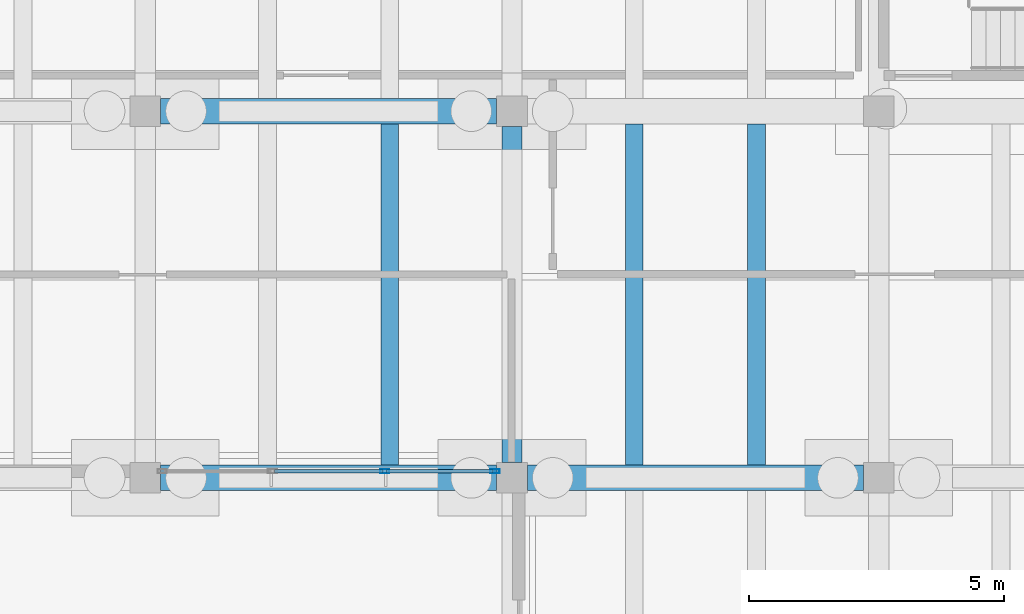
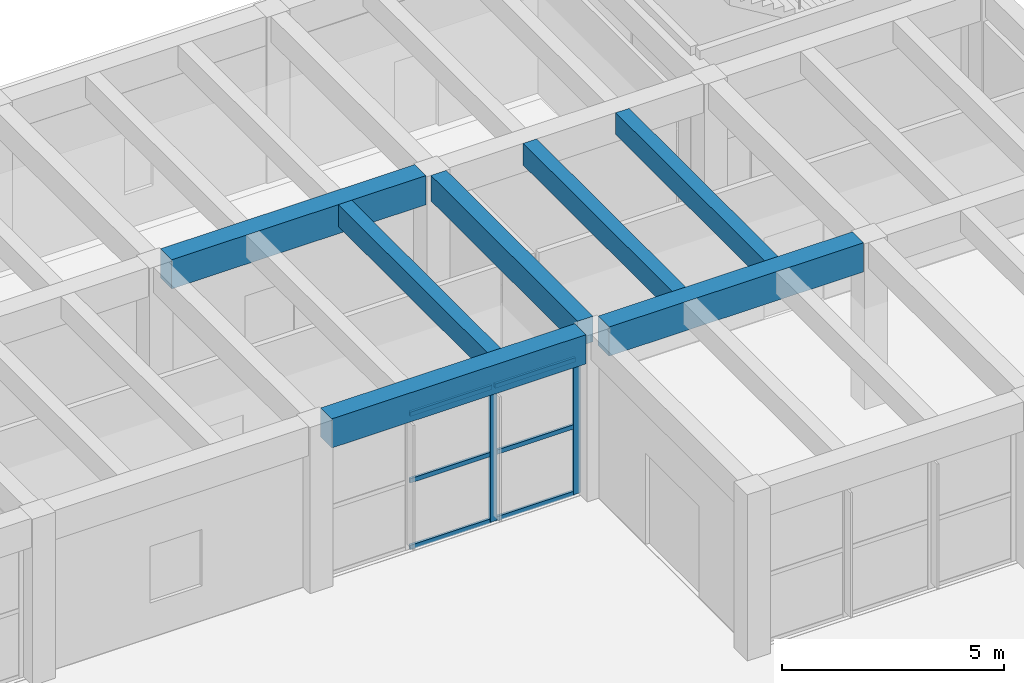
# One storey, part 103 of 155: 8 members, 7 beams, 1 element without a shape of its own.
"""IFC4 building model written with IfcOpenShell, lengths in metres."""

from ifc_helpers import new_model, si_unit, direction, frame, origin, origin_2d, place, context, subcontext, project, spatial, rectangle, hollow_rectangle, extrude, material, material_profile, profile_set, type_object, element, aggregate, save


model = new_model("IFC4")

# Units and contexts
model_context = context("Model", 3, precision=1e-05, world=origin(), true_north=direction((0.0, 1.0)))
body_context = subcontext(model_context, "Body", "Model", "MODEL_VIEW")
ifc_project = project(units=[si_unit("LENGTHUNIT", "METRE"), si_unit("AREAUNIT", "SQUARE_METRE"), si_unit("VOLUMEUNIT", "CUBIC_METRE"), si_unit("PLANEANGLEUNIT", "RADIAN"), si_unit("MASSUNIT", "GRAM", prefix="KILO")], contexts=[model_context])

# Site, building, storey
site_placement = place(None, origin())
site = spatial("IfcSite", under=ifc_project, at=site_placement, CompositionType="ELEMENT")
building_placement = place(site_placement, origin())
building = spatial("IfcBuilding", under=site, at=building_placement, Name="Bramvelor Terrace Health Centre", CompositionType="ELEMENT")
storey_placement = place(building_placement, origin())
storey = spatial("IfcBuildingStorey", under=building, at=storey_placement, Name="L01", CompositionType="ELEMENT", Elevation=0.0)

# Beams
ifc_material_1 = material(Name="Concrete C40/50", Category="concrete")
ifc_material_profile_1 = material_profile(ifc_material_1, rectangle(XDim=0.39990234375, YDim=0.699951171875, at=origin_2d()), Name="RC 400x700")
ifc_profile_set_1 = profile_set([ifc_material_profile_1], Name="Concrete C40/50")
beam_type_1 = type_object("IfcBeamType", Name="BM-RC-G700", PredefinedType="BEAM", material=ifc_profile_set_1)
beam_1_placement = place(storey_placement, frame((151.199951171875, 50.699951171875, 4.2099609375), z_axis=(0.0, 1.0, 0.0), x_axis=(-1.0, 0.0, 0.0)))
element("IfcBeam", 1, at=beam_1_placement, inside=storey, type_object=beam_type_1, Name="L01 Floor Girder", PredefinedType="BEAM", context=body_context, shape_type="SweptSolid", body=[
    extrude(rectangle(XDim=0.39990234375, YDim=0.699951171875, at=origin_2d()), origin(), (0.0, 0.0, 1.0), 6.60009765625),
])
ifc_material_2 = material(Name="Concrete C40/50", Category="concrete")
ifc_material_profile_2 = material_profile(ifc_material_2, rectangle(XDim=0.5, YDim=0.800048828125, at=origin_2d()), Name="RC 500x800")
ifc_profile_set_2 = profile_set([ifc_material_profile_2], Name="Concrete C40/50")
beam_type_2 = type_object("IfcBeamType", Name="BM-RC-G800", PredefinedType="BEAM", material=ifc_profile_set_2)
for number, where, z_axis, x_axis, name in (
    (2, (144.300048828125, 50.39990234375, 4.159912109375), (1.0, 0.0, 0.0), (0.0, 1.0, 0.0), "L01 Floor Girder"),
    (3, (144.300048828125, 57.60009765625, 4.159912109375), (1.0, 0.0, 0.0), (0.0, 1.0, 0.0), "L01 Floor Girder"),
):
    element("IfcBeam", number, at=place(storey_placement, frame(where, z_axis=z_axis, x_axis=x_axis)), inside=storey, type_object=beam_type_2, Name=name, PredefinedType="BEAM", context=body_context, shape_type="SweptSolid", body=[
        extrude(rectangle(XDim=0.5, YDim=0.800048828125, at=origin_2d()), origin(), (0.0, 0.0, 1.0), 6.599853515625),
    ])
beam_2_placement = place(storey_placement, frame((151.5, 50.39990234375, 4.159912109375), z_axis=(1.0, 0.0, 0.0), x_axis=(0.0, 1.0, 0.0)))
element("IfcBeam", 4, at=beam_2_placement, inside=storey, type_object=beam_type_2, Name="L01 Floor Girder", PredefinedType="BEAM", context=body_context, shape_type="SweptSolid", body=[
    extrude(rectangle(XDim=0.5, YDim=0.800048828125, at=origin_2d()), origin(), (0.0, 0.0, 1.0), 6.60009765625),
])
ifc_material_3 = material(Name="Concrete C40/50", Category="concrete")
ifc_material_profile_3 = material_profile(ifc_material_3, rectangle(XDim=0.35009765625, YDim=0.60009765625, at=origin_2d()), Name="RC 350x600")
ifc_profile_set_3 = profile_set([ifc_material_profile_3], Name="Concrete C40/50")
beam_type_3 = type_object("IfcBeamType", Name="BM-RC-J600", PredefinedType="JOIST", material=ifc_profile_set_3)
for number, where, z_axis, x_axis, name in (
    (5, (148.800048828125, 50.64990234375, 4.260009765625), (0.0, 1.0, 0.0), (-1.0, 0.0, 0.0), "L01 Secondary Floor Joist"),
    (6, (153.60009765625, 50.64990234375, 4.260009765625), (0.0, 1.0, 0.0), (-1.0, 0.0, 0.0), "L01 Secondary Floor Joist"),
    (7, (156.0, 50.64990234375, 4.260009765625), (0.0, 1.0, 0.0), (-1.0, 0.0, 0.0), "L01 Secondary Floor Joist"),
):
    element("IfcBeam", number, at=place(storey_placement, frame(where, z_axis=z_axis, x_axis=x_axis)), inside=storey, type_object=beam_type_3, Name=name, PredefinedType="JOIST", context=body_context, shape_type="SweptSolid", body=[
        extrude(rectangle(XDim=0.35009765625, YDim=0.60009765625, at=origin_2d()), origin(), (0.0, 0.0, 1.0), 6.7001953125),
    ])

# Curtain wall, members
ifc_material_4 = material(Name="Anodized aluminium and double low-E glass", Category="aluminium")
curtain_wall_type = type_object("IfcCurtainWallType", Name="CW-SYS-02", PredefinedType="NOTDEFINED", material=ifc_material_4)
curtain_wall_placement = place(storey_placement, origin())
curtain_wall = element("IfcCurtainWall", 8, at=curtain_wall_placement, inside=storey, type_object=curtain_wall_type, Name="L01 Unitized Curtain Wall 42", PredefinedType="NOTDEFINED")
ifc_material_5 = material(Name="Anodized aluminium 6063-T6", Category="aluminium")
ifc_material_profile_4 = material_profile(ifc_material_5, hollow_rectangle(XDim=0.074951171875, YDim=0.179931640625, WallThickness=0.00341796875, at=origin_2d()), Name="ALU-MUL 75x180x3.5")
ifc_profile_set_4 = profile_set([ifc_material_profile_4], Name="Anodized aluminium 6063-T6")
member_type_1 = type_object("IfcMemberType", Name="CW-MUL-65x180", PredefinedType="MULLION", material=ifc_profile_set_4)
member_1_placement = place(storey_placement, frame((150.867431640625, 50.530029296875, 0.0), z_axis=(0.0, 0.0, 1.0), x_axis=(0.0, -1.0, 0.0)))
member_1 = element("IfcMember", 9, at=member_1_placement, type_object=member_type_1, Name="CW-02 mullion 1", PredefinedType="MULLION", context=body_context, shape_type="SweptSolid", body=[
    extrude(hollow_rectangle(XDim=0.074951171875, YDim=0.179931640625, WallThickness=0.00341796875, at=origin_2d()), origin(), (0.0, 0.0, 1.0), 3.719970703125),
])
member_2_placement = place(storey_placement, frame((148.70166015625, 50.530029296875, 0.0), z_axis=(0.0, 0.0, 1.0), x_axis=(0.0, -1.0, 0.0)))
member_2 = element("IfcMember", 10, at=member_2_placement, type_object=member_type_1, Name="CW-02 mullion 2", PredefinedType="MULLION", context=body_context, shape_type="SweptSolid", body=[
    extrude(hollow_rectangle(XDim=0.074951171875, YDim=0.179931640625, WallThickness=0.00341796875, at=origin_2d()), origin(), (0.0, 0.0, 1.0), 3.719970703125),
])
ifc_material_6 = material(Name="Anodized aluminium 6063-T6", Category="aluminium")
ifc_material_profile_5 = material_profile(ifc_material_6, hollow_rectangle(XDim=0.06494140625, YDim=0.1201171875, WallThickness=0.0029296875, at=origin_2d()), Name="ALU-TRN 65x120x3.0")
ifc_profile_set_5 = profile_set([ifc_material_profile_5], Name="Anodized aluminium 6063-T6")
member_type_2 = type_object("IfcMemberType", Name="CW-TRN-65x150", PredefinedType="USERDEFINED", material=ifc_profile_set_5)
member_3_placement = place(storey_placement, frame((150.830078125, 50.530029296875, 0.032470703125), z_axis=(-1.0, 0.0, 0.0), x_axis=(0.0, -1.0, 0.0)))
member_3 = element("IfcMember", 11, at=member_3_placement, type_object=member_type_2, Name="CW-02 transom 1.1", ObjectType="TRANSOM", PredefinedType="USERDEFINED", context=body_context, shape_type="SweptSolid", body=[
    extrude(hollow_rectangle(XDim=0.06494140625, YDim=0.1201171875, WallThickness=0.0029296875, at=origin_2d()), origin(), (0.0, 0.0, 1.0), 2.0908203125),
])
member_4_placement = place(storey_placement, frame((150.830078125, 50.530029296875, 1.860107421875), z_axis=(-1.0, 0.0, 0.0), x_axis=(0.0, -1.0, 0.0)))
member_4 = element("IfcMember", 12, at=member_4_placement, type_object=member_type_2, Name="CW-02 transom 1.2", ObjectType="TRANSOM", PredefinedType="USERDEFINED", context=body_context, shape_type="SweptSolid", body=[
    extrude(hollow_rectangle(XDim=0.06494140625, YDim=0.1201171875, WallThickness=0.0029296875, at=origin_2d()), origin(), (0.0, 0.0, 1.0), 2.0908203125),
])
member_5_placement = place(storey_placement, frame((150.830078125, 50.530029296875, 3.6875), z_axis=(-1.0, 0.0, 0.0), x_axis=(0.0, -1.0, 0.0)))
member_5 = element("IfcMember", 13, at=member_5_placement, type_object=member_type_2, Name="CW-02 transom 1.3", ObjectType="TRANSOM", PredefinedType="USERDEFINED", context=body_context, shape_type="SweptSolid", body=[
    extrude(hollow_rectangle(XDim=0.06494140625, YDim=0.1201171875, WallThickness=0.0029296875, at=origin_2d()), origin(), (0.0, 0.0, 1.0), 2.0908203125),
])
member_6_placement = place(storey_placement, frame((148.6640625, 50.530029296875, 0.032470703125), z_axis=(-1.0, 0.0, 0.0), x_axis=(0.0, -1.0, 0.0)))
member_6 = element("IfcMember", 14, at=member_6_placement, type_object=member_type_2, Name="CW-02 transom 2.1", ObjectType="TRANSOM", PredefinedType="USERDEFINED", context=body_context, shape_type="SweptSolid", body=[
    extrude(hollow_rectangle(XDim=0.06494140625, YDim=0.1201171875, WallThickness=0.0029296875, at=origin_2d()), origin(), (0.0, 0.0, 1.0), 2.128173828125),
])
member_7_placement = place(storey_placement, frame((148.6640625, 50.530029296875, 1.860107421875), z_axis=(-1.0, 0.0, 0.0), x_axis=(0.0, -1.0, 0.0)))
member_7 = element("IfcMember", 15, at=member_7_placement, type_object=member_type_2, Name="CW-02 transom 2.2", ObjectType="TRANSOM", PredefinedType="USERDEFINED", context=body_context, shape_type="SweptSolid", body=[
    extrude(hollow_rectangle(XDim=0.06494140625, YDim=0.1201171875, WallThickness=0.0029296875, at=origin_2d()), origin(), (0.0, 0.0, 1.0), 2.128173828125),
])
member_8_placement = place(storey_placement, frame((148.6640625, 50.530029296875, 3.6875), z_axis=(-1.0, 0.0, 0.0), x_axis=(0.0, -1.0, 0.0)))
member_8 = element("IfcMember", 16, at=member_8_placement, type_object=member_type_2, Name="CW-02 transom 2.3", ObjectType="TRANSOM", PredefinedType="USERDEFINED", context=body_context, shape_type="SweptSolid", body=[
    extrude(hollow_rectangle(XDim=0.06494140625, YDim=0.1201171875, WallThickness=0.0029296875, at=origin_2d()), origin(), (0.0, 0.0, 1.0), 2.128173828125),
])
aggregate(curtain_wall, [member_1, member_2, member_3, member_4, member_5, member_6, member_7, member_8])

save(model, "model.ifc")
